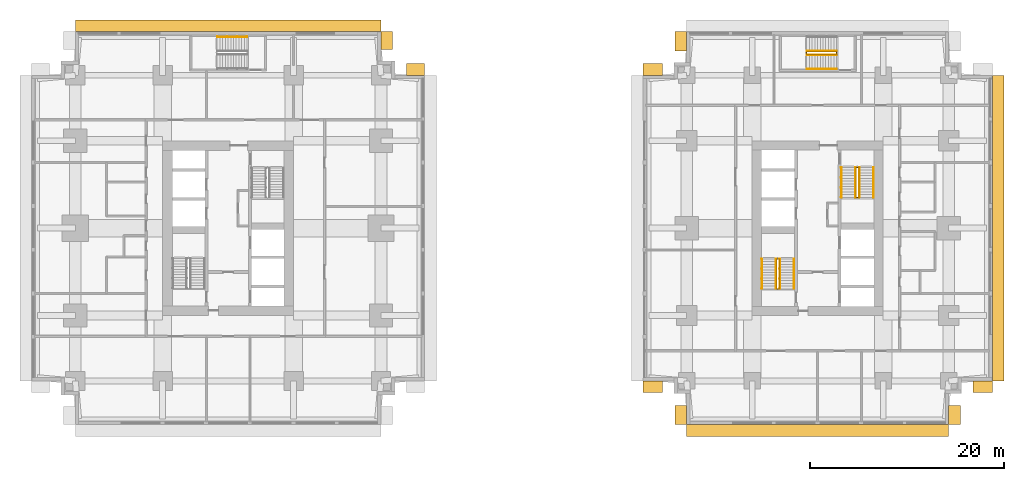
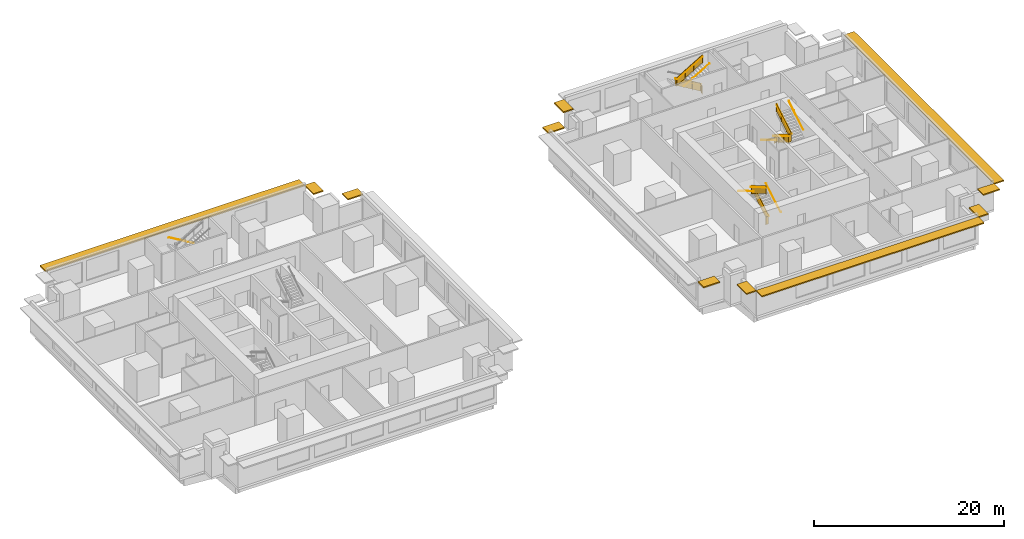
# One storey, part 10 of 11: 15 railings, 11 shading devices.
"""IFC4 building model written with IfcOpenShell, lengths in metres."""

from ifc_helpers import new_model, si_unit, direction, frame, origin, origin_2d, place, context, subcontext, project, spatial, polyline, rectangle, circle, outline, extrude, material, layer, layer_set, type_object, element, save


model = new_model("IFC4")

# Units and contexts
model_context = context("Model", 3, precision=1e-05, world=origin(), true_north=direction((0.0, 1.0)))
body_context = subcontext(model_context, "Body", "Model", "MODEL_VIEW")
ifc_project = project(units=[si_unit("LENGTHUNIT", "METRE"), si_unit("AREAUNIT", "SQUARE_METRE"), si_unit("VOLUMEUNIT", "CUBIC_METRE"), si_unit("PLANEANGLEUNIT", "RADIAN"), si_unit("MASSUNIT", "GRAM", prefix="KILO")], contexts=[model_context])

# Site, building, storey
site_placement = place(None, origin())
site = spatial("IfcSite", under=ifc_project, at=site_placement, CompositionType="ELEMENT")
building_placement = place(site_placement, origin())
building = spatial("IfcBuilding", under=site, at=building_placement, Name="Namib Vertical Campus", CompositionType="ELEMENT")
storey_placement = place(building_placement, frame((0.0, 0.0, 69.0)))
storey = spatial("IfcBuildingStorey", under=building, at=storey_placement, Name="L16", CompositionType="ELEMENT", Elevation=69.0)

# Railings
ifc_material_1 = material(Name="Steel handrail", Category="steel")
railing_type_1 = type_object("IfcRailingType", Name="Handrail 900", PredefinedType="HANDRAIL", material=ifc_material_1)
railing_1_placement = place(storey_placement, frame((78.550048828125, 14.0, 0.166748046875)))
element("IfcRailing", 1, at=railing_1_placement, inside=storey, type_object=railing_type_1, Name="Handrail HR1 B-S1 L16 1", PredefinedType="HANDRAIL", context=body_context, shape_type="SweptSolid", body=[
    extrude(circle(Radius=0.02392578125, at=origin_2d()), frame((0.0, 0.0, 0.8759765625), z_axis=(0.0, 0.859308565015, 0.511457515432), x_axis=(-1.0, 0.0, 0.0)), (0.0, 0.0, 1.0), 3.58447265625),
    extrude(circle(Radius=0.008056640625, at=origin_2d()), frame((0.0, 0.0, 0.8759765625), z_axis=(1.0, 0.0, 0.0), x_axis=(0.0, 0.0, 1.0)), (0.0, 0.0, 1.0), 0.050048828125),
    extrude(circle(Radius=0.008056640625, at=origin_2d()), frame((0.0, 1.026611328125, 1.48681640625), z_axis=(1.0, 0.0, 0.0), x_axis=(0.0, 0.0, 1.0)), (0.0, 0.0, 1.0), 0.050048828125),
    extrude(circle(Radius=0.008056640625, at=origin_2d()), frame((0.0, 2.053466796875, 2.09814453125), z_axis=(1.0, 0.0, 0.0), x_axis=(0.0, 0.0, 1.0)), (0.0, 0.0, 1.0), 0.050048828125),
    extrude(circle(Radius=0.008056640625, at=origin_2d()), frame((0.0, 3.080078125, 2.708984375), z_axis=(1.0, 0.0, 0.0), x_axis=(0.0, 0.0, 1.0)), (0.0, 0.0, 1.0), 0.050048828125),
])
railing_2_placement = place(storey_placement, frame((75.25, 17.080078125, 2.166748046875)))
element("IfcRailing", 2, at=railing_2_placement, inside=storey, type_object=railing_type_1, Name="Handrail HR1 B-S1 L16 2", PredefinedType="HANDRAIL", context=body_context, shape_type="SweptSolid", body=[
    extrude(circle(Radius=0.02392578125, at=origin_2d()), frame((0.0, 0.0, 0.8759765625), z_axis=(0.0, -0.859308565015, 0.511457515432), x_axis=(1.0, 0.0, 0.0)), (0.0, 0.0, 1.0), 3.58447265625),
    extrude(circle(Radius=0.008056640625, at=origin_2d()), frame((0.0, 0.0, 0.8759765625), z_axis=(-1.0, 0.0, 0.0), x_axis=(0.0, 0.0, 1.0)), (0.0, 0.0, 1.0), 0.050048828125),
    extrude(circle(Radius=0.008056640625, at=origin_2d()), frame((0.0, -1.026611328125, 1.48681640625), z_axis=(-1.0, 0.0, 0.0), x_axis=(0.0, 0.0, 1.0)), (0.0, 0.0, 1.0), 0.050048828125),
    extrude(circle(Radius=0.008056640625, at=origin_2d()), frame((0.0, -2.053466796875, 2.09814453125), z_axis=(-1.0, 0.0, 0.0), x_axis=(0.0, 0.0, 1.0)), (0.0, 0.0, 1.0), 0.050048828125),
    extrude(circle(Radius=0.008056640625, at=origin_2d()), frame((0.0, -3.080078125, 2.708984375), z_axis=(-1.0, 0.0, 0.0), x_axis=(0.0, 0.0, 1.0)), (0.0, 0.0, 1.0), 0.050048828125),
])
railing_3_placement = place(storey_placement, frame((77.10009765625, 14.0, 0.166748046875)))
element("IfcRailing", 3, at=railing_3_placement, inside=storey, type_object=railing_type_1, Name="Handrail HR1 B-S1 L16 1 at the well", PredefinedType="HANDRAIL", context=body_context, shape_type="SweptSolid", body=[
    extrude(circle(Radius=0.02392578125, at=origin_2d()), frame((0.0, 0.0, 0.8759765625), z_axis=(0.0, 0.859308565015, 0.511457515432), x_axis=(-1.0, 0.0, 0.0)), (0.0, 0.0, 1.0), 3.58447265625),
    extrude(circle(Radius=0.008056640625, at=origin_2d()), frame((0.0, 0.0, 0.8759765625), z_axis=(-1.0, 0.0, 0.0), x_axis=(0.0, 0.0, 1.0)), (0.0, 0.0, 1.0), 0.0400390625),
    extrude(circle(Radius=0.008056640625, at=origin_2d()), frame((0.0, 1.026611328125, 1.48681640625), z_axis=(-1.0, 0.0, 0.0), x_axis=(0.0, 0.0, 1.0)), (0.0, 0.0, 1.0), 0.0400390625),
    extrude(circle(Radius=0.008056640625, at=origin_2d()), frame((0.0, 2.053466796875, 2.09814453125), z_axis=(-1.0, 0.0, 0.0), x_axis=(0.0, 0.0, 1.0)), (0.0, 0.0, 1.0), 0.0400390625),
    extrude(circle(Radius=0.008056640625, at=origin_2d()), frame((0.0, 3.080078125, 2.708984375), z_axis=(-1.0, 0.0, 0.0), x_axis=(0.0, 0.0, 1.0)), (0.0, 0.0, 1.0), 0.0400390625),
])
railing_4_placement = place(storey_placement, frame((76.699951171875, 17.080078125, 2.166748046875)))
element("IfcRailing", 4, at=railing_4_placement, inside=storey, type_object=railing_type_1, Name="Handrail HR1 B-S1 L16 2 at the well", PredefinedType="HANDRAIL", context=body_context, shape_type="SweptSolid", body=[
    extrude(circle(Radius=0.02392578125, at=origin_2d()), frame((0.0, 0.0, 0.8759765625), z_axis=(0.0, -0.859308565015, 0.511457515432), x_axis=(1.0, 0.0, 0.0)), (0.0, 0.0, 1.0), 3.58447265625),
    extrude(circle(Radius=0.008056640625, at=origin_2d()), frame((0.0, 0.0, 0.8759765625), z_axis=(1.0, 0.0, 0.0), x_axis=(0.0, 0.0, 1.0)), (0.0, 0.0, 1.0), 0.0400390625),
    extrude(circle(Radius=0.008056640625, at=origin_2d()), frame((0.0, -1.026611328125, 1.48681640625), z_axis=(1.0, 0.0, 0.0), x_axis=(0.0, 0.0, 1.0)), (0.0, 0.0, 1.0), 0.0400390625),
    extrude(circle(Radius=0.008056640625, at=origin_2d()), frame((0.0, -2.053466796875, 2.09814453125), z_axis=(1.0, 0.0, 0.0), x_axis=(0.0, 0.0, 1.0)), (0.0, 0.0, 1.0), 0.0400390625),
    extrude(circle(Radius=0.008056640625, at=origin_2d()), frame((0.0, -3.080078125, 2.708984375), z_axis=(1.0, 0.0, 0.0), x_axis=(0.0, 0.0, 1.0)), (0.0, 0.0, 1.0), 0.0400390625),
])
railing_5_placement = place(storey_placement, frame((83.449951171875, 26.5, 0.166748046875)))
element("IfcRailing", 5, at=railing_5_placement, inside=storey, type_object=railing_type_1, Name="Handrail HR1 B-S2 L16 1", PredefinedType="HANDRAIL", context=body_context, shape_type="SweptSolid", body=[
    extrude(circle(Radius=0.02392578125, at=origin_2d()), frame((0.0, 0.0, 0.8759765625), z_axis=(0.0, -0.859308565015, 0.511457515432), x_axis=(1.0, 0.0, 0.0)), (0.0, 0.0, 1.0), 3.58447265625),
    extrude(circle(Radius=0.008056640625, at=origin_2d()), frame((0.0, 0.0, 0.8759765625), z_axis=(-1.0, 0.0, 0.0), x_axis=(0.0, 0.0, 1.0)), (0.0, 0.0, 1.0), 0.050048828125),
    extrude(circle(Radius=0.008056640625, at=origin_2d()), frame((0.0, -1.026611328125, 1.48681640625), z_axis=(-1.0, 0.0, 0.0), x_axis=(0.0, 0.0, 1.0)), (0.0, 0.0, 1.0), 0.050048828125),
    extrude(circle(Radius=0.008056640625, at=origin_2d()), frame((0.0, -2.053466796875, 2.09814453125), z_axis=(-1.0, 0.0, 0.0), x_axis=(0.0, 0.0, 1.0)), (0.0, 0.0, 1.0), 0.050048828125),
    extrude(circle(Radius=0.008056640625, at=origin_2d()), frame((0.0, -3.080078125, 2.708984375), z_axis=(-1.0, 0.0, 0.0), x_axis=(0.0, 0.0, 1.0)), (0.0, 0.0, 1.0), 0.050048828125),
])
railing_6_placement = place(storey_placement, frame((86.75, 23.419921875, 2.166748046875)))
element("IfcRailing", 6, at=railing_6_placement, inside=storey, type_object=railing_type_1, Name="Handrail HR1 B-S2 L16 2", PredefinedType="HANDRAIL", context=body_context, shape_type="SweptSolid", body=[
    extrude(circle(Radius=0.02392578125, at=origin_2d()), frame((0.0, 0.0, 0.8759765625), z_axis=(0.0, 0.859308565015, 0.511457515432), x_axis=(-1.0, 0.0, 0.0)), (0.0, 0.0, 1.0), 3.58447265625),
    extrude(circle(Radius=0.008056640625, at=origin_2d()), frame((0.0, 0.0, 0.8759765625), z_axis=(1.0, 0.0, 0.0), x_axis=(0.0, 0.0, 1.0)), (0.0, 0.0, 1.0), 0.050048828125),
    extrude(circle(Radius=0.008056640625, at=origin_2d()), frame((0.0, 1.026611328125, 1.48681640625), z_axis=(1.0, 0.0, 0.0), x_axis=(0.0, 0.0, 1.0)), (0.0, 0.0, 1.0), 0.050048828125),
    extrude(circle(Radius=0.008056640625, at=origin_2d()), frame((0.0, 2.053466796875, 2.09814453125), z_axis=(1.0, 0.0, 0.0), x_axis=(0.0, 0.0, 1.0)), (0.0, 0.0, 1.0), 0.050048828125),
    extrude(circle(Radius=0.008056640625, at=origin_2d()), frame((0.0, 3.080078125, 2.708984375), z_axis=(1.0, 0.0, 0.0), x_axis=(0.0, 0.0, 1.0)), (0.0, 0.0, 1.0), 0.050048828125),
])
railing_7_placement = place(storey_placement, frame((84.89990234375, 26.5, 0.166748046875)))
element("IfcRailing", 7, at=railing_7_placement, inside=storey, type_object=railing_type_1, Name="Handrail HR1 B-S2 L16 1 at the well", PredefinedType="HANDRAIL", context=body_context, shape_type="SweptSolid", body=[
    extrude(circle(Radius=0.02392578125, at=origin_2d()), frame((0.0, 0.0, 0.8759765625), z_axis=(0.0, -0.859308565015, 0.511457515432), x_axis=(1.0, 0.0, 0.0)), (0.0, 0.0, 1.0), 3.58447265625),
    extrude(circle(Radius=0.008056640625, at=origin_2d()), frame((0.0, 0.0, 0.8759765625), z_axis=(1.0, 0.0, 0.0), x_axis=(0.0, 0.0, 1.0)), (0.0, 0.0, 1.0), 0.0400390625),
    extrude(circle(Radius=0.008056640625, at=origin_2d()), frame((0.0, -1.026611328125, 1.48681640625), z_axis=(1.0, 0.0, 0.0), x_axis=(0.0, 0.0, 1.0)), (0.0, 0.0, 1.0), 0.0400390625),
    extrude(circle(Radius=0.008056640625, at=origin_2d()), frame((0.0, -2.053466796875, 2.09814453125), z_axis=(1.0, 0.0, 0.0), x_axis=(0.0, 0.0, 1.0)), (0.0, 0.0, 1.0), 0.0400390625),
    extrude(circle(Radius=0.008056640625, at=origin_2d()), frame((0.0, -3.080078125, 2.708984375), z_axis=(1.0, 0.0, 0.0), x_axis=(0.0, 0.0, 1.0)), (0.0, 0.0, 1.0), 0.0400390625),
])
railing_8_placement = place(storey_placement, frame((85.300048828125, 23.419921875, 2.166748046875)))
element("IfcRailing", 8, at=railing_8_placement, inside=storey, type_object=railing_type_1, Name="Handrail HR1 B-S2 L16 2 at the well", PredefinedType="HANDRAIL", context=body_context, shape_type="SweptSolid", body=[
    extrude(circle(Radius=0.02392578125, at=origin_2d()), frame((0.0, 0.0, 0.8759765625), z_axis=(0.0, 0.859308565015, 0.511457515432), x_axis=(-1.0, 0.0, 0.0)), (0.0, 0.0, 1.0), 3.58447265625),
    extrude(circle(Radius=0.008056640625, at=origin_2d()), frame((0.0, 0.0, 0.8759765625), z_axis=(-1.0, 0.0, 0.0), x_axis=(0.0, 0.0, 1.0)), (0.0, 0.0, 1.0), 0.0400390625),
    extrude(circle(Radius=0.008056640625, at=origin_2d()), frame((0.0, 1.026611328125, 1.48681640625), z_axis=(-1.0, 0.0, 0.0), x_axis=(0.0, 0.0, 1.0)), (0.0, 0.0, 1.0), 0.0400390625),
    extrude(circle(Radius=0.008056640625, at=origin_2d()), frame((0.0, 2.053466796875, 2.09814453125), z_axis=(-1.0, 0.0, 0.0), x_axis=(0.0, 0.0, 1.0)), (0.0, 0.0, 1.0), 0.0400390625),
    extrude(circle(Radius=0.008056640625, at=origin_2d()), frame((0.0, 3.080078125, 2.708984375), z_axis=(-1.0, 0.0, 0.0), x_axis=(0.0, 0.0, 1.0)), (0.0, 0.0, 1.0), 0.0400390625),
])
railing_9_placement = place(storey_placement, frame((22.199951171875, 39.949951171875, 0.166748046875)))
element("IfcRailing", 9, at=railing_9_placement, inside=storey, type_object=railing_type_1, Name="Handrail HR1 A-S3 L16 1", PredefinedType="HANDRAIL", context=body_context, shape_type="SweptSolid", body=[
    extrude(circle(Radius=0.02392578125, at=origin_2d()), frame((0.0, 0.0, 0.8759765625), z_axis=(-0.859290745958, 0.0, 0.51148745235), x_axis=(0.0, -1.0, 0.0)), (0.0, 0.0, 1.0), 3.584228515625),
    extrude(circle(Radius=0.008056640625, at=origin_2d()), frame((0.0, 0.0, 0.8759765625), z_axis=(0.0, 1.0, 0.0), x_axis=(0.0, 0.0, 1.0)), (0.0, 0.0, 1.0), 0.050048828125),
    extrude(circle(Radius=0.008056640625, at=origin_2d()), frame((-1.026611328125, 0.0, 1.48681640625), z_axis=(0.0, 1.0, 0.0), x_axis=(0.0, 0.0, 1.0)), (0.0, 0.0, 1.0), 0.050048828125),
    extrude(circle(Radius=0.008056640625, at=origin_2d()), frame((-2.05322265625, 0.0, 2.09814453125), z_axis=(0.0, 1.0, 0.0), x_axis=(0.0, 0.0, 1.0)), (0.0, 0.0, 1.0), 0.050048828125),
    extrude(circle(Radius=0.008056640625, at=origin_2d()), frame((-3.079833984375, 0.0, 2.708984375), z_axis=(0.0, 1.0, 0.0), x_axis=(0.0, 0.0, 1.0)), (0.0, 0.0, 1.0), 0.050048828125),
])
railing_10_placement = place(storey_placement, frame((79.8701171875, 36.64990234375, 2.166748046875)))
element("IfcRailing", 10, at=railing_10_placement, inside=storey, type_object=railing_type_1, Name="Handrail HR1 B-S3 L16 2", PredefinedType="HANDRAIL", context=body_context, shape_type="SweptSolid", body=[
    extrude(circle(Radius=0.02392578125, at=origin_2d()), frame((0.0, 0.0, 0.8759765625), z_axis=(0.859290745958, 0.0, 0.51148745235), x_axis=(0.0, 1.0, 0.0)), (0.0, 0.0, 1.0), 3.584228515625),
    extrude(circle(Radius=0.008056640625, at=origin_2d()), frame((0.0, 0.0, 0.8759765625), z_axis=(0.0, -1.0, 0.0), x_axis=(0.0, 0.0, 1.0)), (0.0, 0.0, 1.0), 0.050048828125),
    extrude(circle(Radius=0.008056640625, at=origin_2d()), frame((1.026611328125, 0.0, 1.48681640625), z_axis=(0.0, -1.0, 0.0), x_axis=(0.0, 0.0, 1.0)), (0.0, 0.0, 1.0), 0.050048828125),
    extrude(circle(Radius=0.008056640625, at=origin_2d()), frame((2.05322265625, 0.0, 2.09814453125), z_axis=(0.0, -1.0, 0.0), x_axis=(0.0, 0.0, 1.0)), (0.0, 0.0, 1.0), 0.050048828125),
    extrude(circle(Radius=0.008056640625, at=origin_2d()), frame((3.079833984375, 0.0, 2.708984375), z_axis=(0.0, -1.0, 0.0), x_axis=(0.0, 0.0, 1.0)), (0.0, 0.0, 1.0), 0.050048828125),
])
railing_11_placement = place(storey_placement, frame((82.949951171875, 38.5, 0.166748046875)))
element("IfcRailing", 11, at=railing_11_placement, inside=storey, type_object=railing_type_1, Name="Handrail HR1 B-S3 L16 1 at the well", PredefinedType="HANDRAIL", context=body_context, shape_type="SweptSolid", body=[
    extrude(circle(Radius=0.02392578125, at=origin_2d()), frame((0.0, 0.0, 0.8759765625), z_axis=(-0.859290745958, 0.0, 0.51148745235), x_axis=(0.0, -1.0, 0.0)), (0.0, 0.0, 1.0), 3.584228515625),
    extrude(circle(Radius=0.008056640625, at=origin_2d()), frame((0.0, 0.0, 0.8759765625), z_axis=(0.0, -1.0, 0.0), x_axis=(0.0, 0.0, 1.0)), (0.0, 0.0, 1.0), 0.0400390625),
    extrude(circle(Radius=0.008056640625, at=origin_2d()), frame((-1.026611328125, 0.0, 1.48681640625), z_axis=(0.0, -1.0, 0.0), x_axis=(0.0, 0.0, 1.0)), (0.0, 0.0, 1.0), 0.0400390625),
    extrude(circle(Radius=0.008056640625, at=origin_2d()), frame((-2.05322265625, 0.0, 2.09814453125), z_axis=(0.0, -1.0, 0.0), x_axis=(0.0, 0.0, 1.0)), (0.0, 0.0, 1.0), 0.0400390625),
    extrude(circle(Radius=0.008056640625, at=origin_2d()), frame((-3.079833984375, 0.0, 2.708984375), z_axis=(0.0, -1.0, 0.0), x_axis=(0.0, 0.0, 1.0)), (0.0, 0.0, 1.0), 0.0400390625),
])
railing_12_placement = place(storey_placement, frame((79.8701171875, 38.10009765625, 2.166748046875)))
element("IfcRailing", 12, at=railing_12_placement, inside=storey, type_object=railing_type_1, Name="Handrail HR1 B-S3 L16 2 at the well", PredefinedType="HANDRAIL", context=body_context, shape_type="SweptSolid", body=[
    extrude(circle(Radius=0.02392578125, at=origin_2d()), frame((0.0, 0.0, 0.8759765625), z_axis=(0.859290745958, 0.0, 0.51148745235), x_axis=(0.0, 1.0, 0.0)), (0.0, 0.0, 1.0), 3.584228515625),
    extrude(circle(Radius=0.008056640625, at=origin_2d()), frame((0.0, 0.0, 0.8759765625), z_axis=(0.0, 1.0, 0.0), x_axis=(0.0, 0.0, 1.0)), (0.0, 0.0, 1.0), 0.0400390625),
    extrude(circle(Radius=0.008056640625, at=origin_2d()), frame((1.026611328125, 0.0, 1.48681640625), z_axis=(0.0, 1.0, 0.0), x_axis=(0.0, 0.0, 1.0)), (0.0, 0.0, 1.0), 0.0400390625),
    extrude(circle(Radius=0.008056640625, at=origin_2d()), frame((2.05322265625, 0.0, 2.09814453125), z_axis=(0.0, 1.0, 0.0), x_axis=(0.0, 0.0, 1.0)), (0.0, 0.0, 1.0), 0.0400390625),
    extrude(circle(Radius=0.008056640625, at=origin_2d()), frame((3.079833984375, 0.0, 2.708984375), z_axis=(0.0, 1.0, 0.0), x_axis=(0.0, 0.0, 1.0)), (0.0, 0.0, 1.0), 0.0400390625),
])
ifc_material_2 = material(Name="Steel balustrade", Category="steel")
railing_type_2 = type_object("IfcRailingType", Name="Stair guard 1100", PredefinedType="GUARDRAIL", material=ifc_material_2)
railing_13_placement = place(storey_placement, frame((76.75, 14.0, 0.0)))
element("IfcRailing", 13, at=railing_13_placement, inside=storey, type_object=railing_type_2, Name="Stair guard GR1 B-S1 L16", PredefinedType="GUARDRAIL", context=body_context, shape_type="SweptSolid", body=[
    extrude(circle(Radius=0.02392578125, at=origin_2d()), frame((0.0, 0.0, 1.076171875), z_axis=(1.0, 0.0, 0.0), x_axis=(0.0, 1.0, 0.0)), (0.0, 0.0, 1.0), 0.300048828125),
    extrude(outline(polyline([(0.02099609375, 0.050048828125), (0.279052734375, 0.050048828125), (0.279052734375, 1.052001953125), (0.02099609375, 1.052001953125), (0.02099609375, 0.050048828125)])), frame((0.0, 0.010009765625, 0.0), z_axis=(0.0, -1.0, 0.0), x_axis=(1.0, 0.0, 0.0)), (0.0, 0.0, 1.0), 0.02001953125),
    extrude(circle(Radius=0.02392578125, at=origin_2d()), frame((0.300048828125, 0.0, 1.076171875), z_axis=(0.0, 0.0, 1.0), x_axis=(1.0, 0.0, 0.0)), (0.0, 0.0, 1.0), 0.166748046875),
    extrude(circle(Radius=0.02392578125, at=origin_2d()), frame((0.300048828125, 0.0, 1.24267578125), z_axis=(0.0, 0.859308565015, 0.511457515432), x_axis=(-1.0, 0.0, 0.0)), (0.0, 0.0, 1.0), 3.58447265625),
    extrude(outline(polyline([(0.02099609375, 0.0625), (3.05908203125, 1.870849609375), (3.05908203125, 2.872802734375), (0.02099609375, 1.064453125), (0.02099609375, 0.0625)])), frame((0.2900390625, 0.0, 0.166748046875), z_axis=(1.0, 0.0, 0.0), x_axis=(0.0, 1.0, 0.0)), (0.0, 0.0, 1.0), 0.02001953125),
    extrude(circle(Radius=0.02392578125, at=origin_2d()), frame((0.300048828125, 3.080078125, 3.076171875), z_axis=(-1.0, 0.0, 0.0), x_axis=(0.0, -1.0, 0.0)), (0.0, 0.0, 1.0), 0.300048828125),
    extrude(outline(polyline([(0.02099609375, 0.050048828125), (0.279052734375, 0.050048828125), (0.279052734375, 1.052001953125), (0.02099609375, 1.052001953125), (0.02099609375, 0.050048828125)])), frame((0.300048828125, 3.070068359375, 2.0), z_axis=(0.0, 1.0, 0.0), x_axis=(-1.0, 0.0, 0.0)), (0.0, 0.0, 1.0), 0.02001953125),
    extrude(circle(Radius=0.02392578125, at=origin_2d()), frame((0.0, 3.080078125, 3.076171875), z_axis=(0.0, 0.0, 1.0), x_axis=(1.0, 0.0, 0.0)), (0.0, 0.0, 1.0), 0.166748046875),
    extrude(circle(Radius=0.02392578125, at=origin_2d()), frame((0.0, 3.080078125, 3.24267578125), z_axis=(0.0, -0.859308565015, 0.511457515432), x_axis=(1.0, 0.0, 0.0)), (0.0, 0.0, 1.0), 3.58447265625),
    extrude(outline(polyline([(0.02099609375, 0.0625), (3.05908203125, 1.870849609375), (3.05908203125, 2.872802734375), (0.02099609375, 1.064453125), (0.02099609375, 0.0625)])), frame((0.010009765625, 3.080078125, 2.166748046875), z_axis=(-1.0, 0.0, 0.0), x_axis=(0.0, -1.0, 0.0)), (0.0, 0.0, 1.0), 0.02001953125),
    extrude(circle(Radius=0.02392578125, at=origin_2d()), frame((0.0, 0.0, 5.076171875), z_axis=(0.0, -1.0, 0.0), x_axis=(1.0, 0.0, 0.0)), (0.0, 0.0, 1.0), 0.050048828125),
    extrude(outline(polyline([(0.02099609375, 0.050048828125), (0.029052734375, 0.050048828125), (0.029052734375, 1.052001953125), (0.02099609375, 1.052001953125), (0.02099609375, 0.050048828125)])), frame((0.010009765625, 0.0, 4.0), z_axis=(-1.0, 0.0, 0.0), x_axis=(0.0, -1.0, 0.0)), (0.0, 0.0, 1.0), 0.02001953125),
    extrude(circle(Radius=0.02099609375, at=origin_2d()), origin(), (0.0, 0.0, 1.0), 1.052001953125),
    extrude(circle(Radius=0.02099609375, at=origin_2d()), frame((0.300048828125, 0.0, 0.166748046875)), (0.0, 0.0, 1.0), 1.052001953125),
    extrude(circle(Radius=0.02099609375, at=origin_2d()), frame((0.300048828125, 1.026611328125, 0.666748046875)), (0.0, 0.0, 1.0), 1.1630859375),
    extrude(circle(Radius=0.02099609375, at=origin_2d()), frame((0.300048828125, 2.053466796875, 1.33349609375)), (0.0, 0.0, 1.0), 1.107421875),
    extrude(circle(Radius=0.02099609375, at=origin_2d()), frame((0.300048828125, 3.080078125, 2.0)), (0.0, 0.0, 1.0), 1.052001953125),
    extrude(circle(Radius=0.02099609375, at=origin_2d()), frame((0.0, 3.080078125, 2.166748046875)), (0.0, 0.0, 1.0), 1.052001953125),
    extrude(circle(Radius=0.02099609375, at=origin_2d()), frame((0.0, 2.053466796875, 2.666748046875)), (0.0, 0.0, 1.0), 1.1630859375),
    extrude(circle(Radius=0.02099609375, at=origin_2d()), frame((0.0, 1.026611328125, 3.33349609375)), (0.0, 0.0, 1.0), 1.107421875),
    extrude(circle(Radius=0.02099609375, at=origin_2d()), frame((0.0, 0.0, 4.0)), (0.0, 0.0, 1.0), 1.052001953125),
    extrude(circle(Radius=0.02099609375, at=origin_2d()), frame((0.0, -0.050048828125, 4.0)), (0.0, 0.0, 1.0), 1.052001953125),
])
railing_14_placement = place(storey_placement, frame((85.25, 26.5, 0.0)))
element("IfcRailing", 14, at=railing_14_placement, inside=storey, type_object=railing_type_2, Name="Stair guard GR1 B-S2 L16", PredefinedType="GUARDRAIL", context=body_context, shape_type="SweptSolid", body=[
    extrude(circle(Radius=0.02392578125, at=origin_2d()), frame((0.0, 0.0, 1.076171875), z_axis=(-1.0, 0.0, 0.0), x_axis=(0.0, -1.0, 0.0)), (0.0, 0.0, 1.0), 0.300048828125),
    extrude(outline(polyline([(0.02099609375, 0.050048828125), (0.279052734375, 0.050048828125), (0.279052734375, 1.052001953125), (0.02099609375, 1.052001953125), (0.02099609375, 0.050048828125)])), frame((0.0, -0.010009765625, 0.0), z_axis=(0.0, 1.0, 0.0), x_axis=(-1.0, 0.0, 0.0)), (0.0, 0.0, 1.0), 0.02001953125),
    extrude(circle(Radius=0.02392578125, at=origin_2d()), frame((-0.300048828125, 0.0, 1.076171875), z_axis=(0.0, 0.0, 1.0), x_axis=(1.0, 0.0, 0.0)), (0.0, 0.0, 1.0), 0.166748046875),
    extrude(circle(Radius=0.02392578125, at=origin_2d()), frame((-0.300048828125, 0.0, 1.24267578125), z_axis=(0.0, -0.859308565015, 0.511457515432), x_axis=(1.0, 0.0, 0.0)), (0.0, 0.0, 1.0), 3.58447265625),
    extrude(outline(polyline([(0.02099609375, 0.0625), (3.05908203125, 1.870849609375), (3.05908203125, 2.872802734375), (0.02099609375, 1.064453125), (0.02099609375, 0.0625)])), frame((-0.2900390625, 0.0, 0.166748046875), z_axis=(-1.0, 0.0, 0.0), x_axis=(0.0, -1.0, 0.0)), (0.0, 0.0, 1.0), 0.02001953125),
    extrude(circle(Radius=0.02392578125, at=origin_2d()), frame((-0.300048828125, -3.080078125, 3.076171875), z_axis=(1.0, 0.0, 0.0), x_axis=(0.0, 1.0, 0.0)), (0.0, 0.0, 1.0), 0.300048828125),
    extrude(outline(polyline([(0.02099609375, 0.050048828125), (0.279052734375, 0.050048828125), (0.279052734375, 1.052001953125), (0.02099609375, 1.052001953125), (0.02099609375, 0.050048828125)])), frame((-0.300048828125, -3.070068359375, 2.0), z_axis=(0.0, -1.0, 0.0), x_axis=(1.0, 0.0, 0.0)), (0.0, 0.0, 1.0), 0.02001953125),
    extrude(circle(Radius=0.02392578125, at=origin_2d()), frame((0.0, -3.080078125, 3.076171875), z_axis=(0.0, 0.0, 1.0), x_axis=(1.0, 0.0, 0.0)), (0.0, 0.0, 1.0), 0.166748046875),
    extrude(circle(Radius=0.02392578125, at=origin_2d()), frame((0.0, -3.080078125, 3.24267578125), z_axis=(0.0, 0.859308565015, 0.511457515432), x_axis=(-1.0, 0.0, 0.0)), (0.0, 0.0, 1.0), 3.58447265625),
    extrude(outline(polyline([(0.02099609375, 0.0625), (3.05908203125, 1.870849609375), (3.05908203125, 2.872802734375), (0.02099609375, 1.064453125), (0.02099609375, 0.0625)])), frame((-0.010009765625, -3.080078125, 2.166748046875), z_axis=(1.0, 0.0, 0.0), x_axis=(0.0, 1.0, 0.0)), (0.0, 0.0, 1.0), 0.02001953125),
    extrude(circle(Radius=0.02392578125, at=origin_2d()), frame((0.0, 0.0, 5.076171875), z_axis=(0.0, 1.0, 0.0), x_axis=(-1.0, 0.0, 0.0)), (0.0, 0.0, 1.0), 0.050048828125),
    extrude(outline(polyline([(0.02099609375, 0.050048828125), (0.029052734375, 0.050048828125), (0.029052734375, 1.052001953125), (0.02099609375, 1.052001953125), (0.02099609375, 0.050048828125)])), frame((-0.010009765625, 0.0, 4.0), z_axis=(1.0, 0.0, 0.0), x_axis=(0.0, 1.0, 0.0)), (0.0, 0.0, 1.0), 0.02001953125),
    extrude(circle(Radius=0.02099609375, at=origin_2d()), origin(), (0.0, 0.0, 1.0), 1.052001953125),
    extrude(circle(Radius=0.02099609375, at=origin_2d()), frame((-0.300048828125, 0.0, 0.166748046875)), (0.0, 0.0, 1.0), 1.052001953125),
    extrude(circle(Radius=0.02099609375, at=origin_2d()), frame((-0.300048828125, -1.026611328125, 0.666748046875)), (0.0, 0.0, 1.0), 1.1630859375),
    extrude(circle(Radius=0.02099609375, at=origin_2d()), frame((-0.300048828125, -2.053466796875, 1.33349609375)), (0.0, 0.0, 1.0), 1.107421875),
    extrude(circle(Radius=0.02099609375, at=origin_2d()), frame((-0.300048828125, -3.080078125, 2.0)), (0.0, 0.0, 1.0), 1.052001953125),
    extrude(circle(Radius=0.02099609375, at=origin_2d()), frame((0.0, -3.080078125, 2.166748046875)), (0.0, 0.0, 1.0), 1.052001953125),
    extrude(circle(Radius=0.02099609375, at=origin_2d()), frame((0.0, -2.053466796875, 2.666748046875)), (0.0, 0.0, 1.0), 1.1630859375),
    extrude(circle(Radius=0.02099609375, at=origin_2d()), frame((0.0, -1.026611328125, 3.33349609375)), (0.0, 0.0, 1.0), 1.107421875),
    extrude(circle(Radius=0.02099609375, at=origin_2d()), frame((0.0, 0.0, 4.0)), (0.0, 0.0, 1.0), 1.052001953125),
    extrude(circle(Radius=0.02099609375, at=origin_2d()), frame((0.0, 0.050048828125, 4.0)), (0.0, 0.0, 1.0), 1.052001953125),
])
railing_15_placement = place(storey_placement, frame((82.949951171875, 38.14990234375, 0.0)))
element("IfcRailing", 15, at=railing_15_placement, inside=storey, type_object=railing_type_2, Name="Stair guard GR1 B-S3 L16", PredefinedType="GUARDRAIL", context=body_context, shape_type="SweptSolid", body=[
    extrude(circle(Radius=0.02392578125, at=origin_2d()), frame((0.0, 0.0, 1.076171875), z_axis=(0.0, 1.0, 0.0), x_axis=(-1.0, 0.0, 0.0)), (0.0, 0.0, 1.0), 0.300048828125),
    extrude(outline(polyline([(0.02099609375, 0.050048828125), (0.279052734375, 0.050048828125), (0.279052734375, 1.052001953125), (0.02099609375, 1.052001953125), (0.02099609375, 0.050048828125)])), frame((-0.010009765625, 0.0, 0.0), z_axis=(1.0, 0.0, 0.0), x_axis=(0.0, 1.0, 0.0)), (0.0, 0.0, 1.0), 0.02001953125),
    extrude(circle(Radius=0.02392578125, at=origin_2d()), frame((0.0, 0.300048828125, 1.076171875), z_axis=(0.0, 0.0, 1.0), x_axis=(1.0, 0.0, 0.0)), (0.0, 0.0, 1.0), 0.166748046875),
    extrude(circle(Radius=0.02392578125, at=origin_2d()), frame((0.0, 0.300048828125, 1.24267578125), z_axis=(-0.859290745958, 0.0, 0.51148745235), x_axis=(0.0, -1.0, 0.0)), (0.0, 0.0, 1.0), 3.584228515625),
    extrude(outline(polyline([(0.02099609375, 0.0625), (3.058837890625, 1.870849609375), (3.058837890625, 2.872802734375), (0.02099609375, 1.064453125), (0.02099609375, 0.0625)])), frame((0.0, 0.2900390625, 0.166748046875), z_axis=(0.0, 1.0, 0.0), x_axis=(-1.0, 0.0, 0.0)), (0.0, 0.0, 1.0), 0.02001953125),
    extrude(circle(Radius=0.02392578125, at=origin_2d()), frame((-3.079833984375, 0.300048828125, 3.076171875), z_axis=(0.0, -1.0, 0.0), x_axis=(1.0, 0.0, 0.0)), (0.0, 0.0, 1.0), 0.300048828125),
    extrude(outline(polyline([(0.02099609375, 0.050048828125), (0.279052734375, 0.050048828125), (0.279052734375, 1.052001953125), (0.02099609375, 1.052001953125), (0.02099609375, 0.050048828125)])), frame((-3.06982421875, 0.300048828125, 2.0), z_axis=(-1.0, 0.0, 0.0), x_axis=(0.0, -1.0, 0.0)), (0.0, 0.0, 1.0), 0.02001953125),
    extrude(circle(Radius=0.02392578125, at=origin_2d()), frame((-3.079833984375, 0.0, 3.076171875), z_axis=(0.0, 0.0, 1.0), x_axis=(1.0, 0.0, 0.0)), (0.0, 0.0, 1.0), 0.166748046875),
    extrude(circle(Radius=0.02392578125, at=origin_2d()), frame((-3.079833984375, 0.0, 3.24267578125), z_axis=(0.859290745958, 0.0, 0.51148745235), x_axis=(0.0, 1.0, 0.0)), (0.0, 0.0, 1.0), 3.584228515625),
    extrude(outline(polyline([(0.02099609375, 0.0625), (3.058837890625, 1.870849609375), (3.058837890625, 2.872802734375), (0.02099609375, 1.064453125), (0.02099609375, 0.0625)])), frame((-3.079833984375, 0.010009765625, 2.166748046875), z_axis=(0.0, -1.0, 0.0), x_axis=(1.0, 0.0, 0.0)), (0.0, 0.0, 1.0), 0.02001953125),
    extrude(circle(Radius=0.02392578125, at=origin_2d()), frame((0.0, 0.0, 5.076171875), z_axis=(1.0, 0.0, 0.0), x_axis=(0.0, 1.0, 0.0)), (0.0, 0.0, 1.0), 0.050048828125),
    extrude(outline(polyline([(0.02099609375, 0.050048828125), (0.029052734375, 0.050048828125), (0.029052734375, 1.052001953125), (0.02099609375, 1.052001953125), (0.02099609375, 0.050048828125)])), frame((0.0, 0.010009765625, 4.0), z_axis=(0.0, -1.0, 0.0), x_axis=(1.0, 0.0, 0.0)), (0.0, 0.0, 1.0), 0.02001953125),
    extrude(circle(Radius=0.02099609375, at=origin_2d()), origin(), (0.0, 0.0, 1.0), 1.052001953125),
    extrude(circle(Radius=0.02099609375, at=origin_2d()), frame((0.0, 0.300048828125, 0.166748046875)), (0.0, 0.0, 1.0), 1.052001953125),
    extrude(circle(Radius=0.02099609375, at=origin_2d()), frame((-1.026611328125, 0.300048828125, 0.666748046875)), (0.0, 0.0, 1.0), 1.1630859375),
    extrude(circle(Radius=0.02099609375, at=origin_2d()), frame((-2.05322265625, 0.300048828125, 1.33349609375)), (0.0, 0.0, 1.0), 1.107421875),
    extrude(circle(Radius=0.02099609375, at=origin_2d()), frame((-3.079833984375, 0.300048828125, 2.0)), (0.0, 0.0, 1.0), 1.052001953125),
    extrude(circle(Radius=0.02099609375, at=origin_2d()), frame((-3.079833984375, 0.0, 2.166748046875)), (0.0, 0.0, 1.0), 1.052001953125),
    extrude(circle(Radius=0.02099609375, at=origin_2d()), frame((-2.05322265625, 0.0, 2.666748046875)), (0.0, 0.0, 1.0), 1.1630859375),
    extrude(circle(Radius=0.02099609375, at=origin_2d()), frame((-1.026611328125, 0.0, 3.33349609375)), (0.0, 0.0, 1.0), 1.107421875),
    extrude(circle(Radius=0.02099609375, at=origin_2d()), frame((0.0, 0.0, 4.0)), (0.0, 0.0, 1.0), 1.052001953125),
    extrude(circle(Radius=0.02099609375, at=origin_2d()), frame((0.050048828125, 0.0, 4.0)), (0.0, 0.0, 1.0), 1.052001953125),
])

# Shading devices
ifc_material_3 = material(Name="Concrete C40/50 precast", Category="concrete")
ifc_layer = layer(ifc_material_3, 0.14990234375)
ifc_layer_set = layer_set([ifc_layer], Name="Concrete C40/50 precast")
shading_device_type = type_object("IfcShadingDeviceType", Name="Sunshade hood 1200", PredefinedType="SHUTTER", material=ifc_layer_set)
for number, where, z_axis, x_axis, name in (
    (16, (39.574951171875, 36.60009765625, 3.199951171875), (0.0, 0.0, 1.0), (-1.0, 0.0, 0.0), "Sunshade SH2 L16 7"),
    (17, (36.60009765625, 39.574951171875, 3.199951171875), (0.0, 0.0, 1.0), (0.0, 1.0, 0.0), "Sunshade SH2 L16 10"),
):
    element("IfcShadingDevice", number, at=place(storey_placement, frame(where, z_axis=z_axis, x_axis=x_axis)), inside=storey, type_object=shading_device_type, Name=name, PredefinedType="SHUTTER", context=body_context, shape_type="SweptSolid", body=[
        extrude(rectangle(XDim=1.85009765625, YDim=1.199951171875, at=origin_2d()), origin(), (0.0, 0.0, 1.0), 0.14990234375),
    ])
shading_device_1_placement = place(storey_placement, frame((20.25, 41.10009765625, 3.199951171875), z_axis=(0.0, 0.0, 1.0), x_axis=(-1.0, 0.0, 0.0)))
element("IfcShadingDevice", 18, at=shading_device_1_placement, inside=storey, type_object=shading_device_type, Name="Sunshade SH2 L16 11", PredefinedType="SHUTTER", context=body_context, shape_type="SweptSolid", body=[
    extrude(rectangle(XDim=31.5, YDim=1.199951171875, at=origin_2d()), origin(), (0.0, 0.0, 1.0), 0.14990234375),
])
shading_device_2_placement = place(storey_placement, frame((81.0, -0.60009765625, 3.199951171875), z_axis=(0.0, 0.0, 1.0), x_axis=(1.0, 0.0, 0.0)))
element("IfcShadingDevice", 19, at=shading_device_2_placement, inside=storey, type_object=shading_device_type, Name="Sunshade SH2 L16 1", PredefinedType="SHUTTER", context=body_context, shape_type="SweptSolid", body=[
    extrude(rectangle(XDim=27.0, YDim=1.199951171875, at=origin_2d()), origin(), (0.0, 0.0, 1.0), 0.14990234375),
])
for number, where, z_axis, x_axis, name in (
    (20, (95.10009765625, 1.0, 3.199951171875), (0.0, 0.0, 1.0), (0.0, 1.0, 0.0), "Sunshade SH2 L16 2"),
    (21, (98.0, 3.89990234375, 3.199951171875), (0.0, 0.0, 1.0), (1.0, 0.0, 0.0), "Sunshade SH2 L16 5"),
):
    element("IfcShadingDevice", number, at=place(storey_placement, frame(where, z_axis=z_axis, x_axis=x_axis)), inside=storey, type_object=shading_device_type, Name=name, PredefinedType="SHUTTER", context=body_context, shape_type="SweptSolid", body=[
        extrude(rectangle(XDim=2.0, YDim=1.199951171875, at=origin_2d()), origin(), (0.0, 0.0, 1.0), 0.14990234375),
    ])
shading_device_3_placement = place(storey_placement, frame((99.60009765625, 20.25, 3.199951171875), z_axis=(0.0, 0.0, 1.0), x_axis=(0.0, 1.0, 0.0)))
element("IfcShadingDevice", 22, at=shading_device_3_placement, inside=storey, type_object=shading_device_type, Name="Sunshade SH2 L16 6", PredefinedType="SHUTTER", context=body_context, shape_type="SweptSolid", body=[
    extrude(rectangle(XDim=31.5, YDim=1.199951171875, at=origin_2d()), origin(), (0.0, 0.0, 1.0), 0.14990234375),
])
for number, where, z_axis, x_axis, name in (
    (23, (66.89990234375, 39.5, 3.199951171875), (0.0, 0.0, 1.0), (0.0, -1.0, 0.0), "Sunshade SH2 L16 12"),
    (24, (64.0, 36.60009765625, 3.199951171875), (0.0, 0.0, 1.0), (-1.0, 0.0, 0.0), "Sunshade SH2 L16 15"),
    (25, (64.0, 3.89990234375, 3.199951171875), (0.0, 0.0, 1.0), (1.0, 0.0, 0.0), "Sunshade SH2 L16 17"),
    (26, (66.89990234375, 1.0, 3.199951171875), (0.0, 0.0, 1.0), (0.0, -1.0, 0.0), "Sunshade SH2 L16 20"),
):
    element("IfcShadingDevice", number, at=place(storey_placement, frame(where, z_axis=z_axis, x_axis=x_axis)), inside=storey, type_object=shading_device_type, Name=name, PredefinedType="SHUTTER", context=body_context, shape_type="SweptSolid", body=[
        extrude(rectangle(XDim=2.0, YDim=1.199951171875, at=origin_2d()), origin(), (0.0, 0.0, 1.0), 0.14990234375),
    ])

save(model, "model.ifc")
